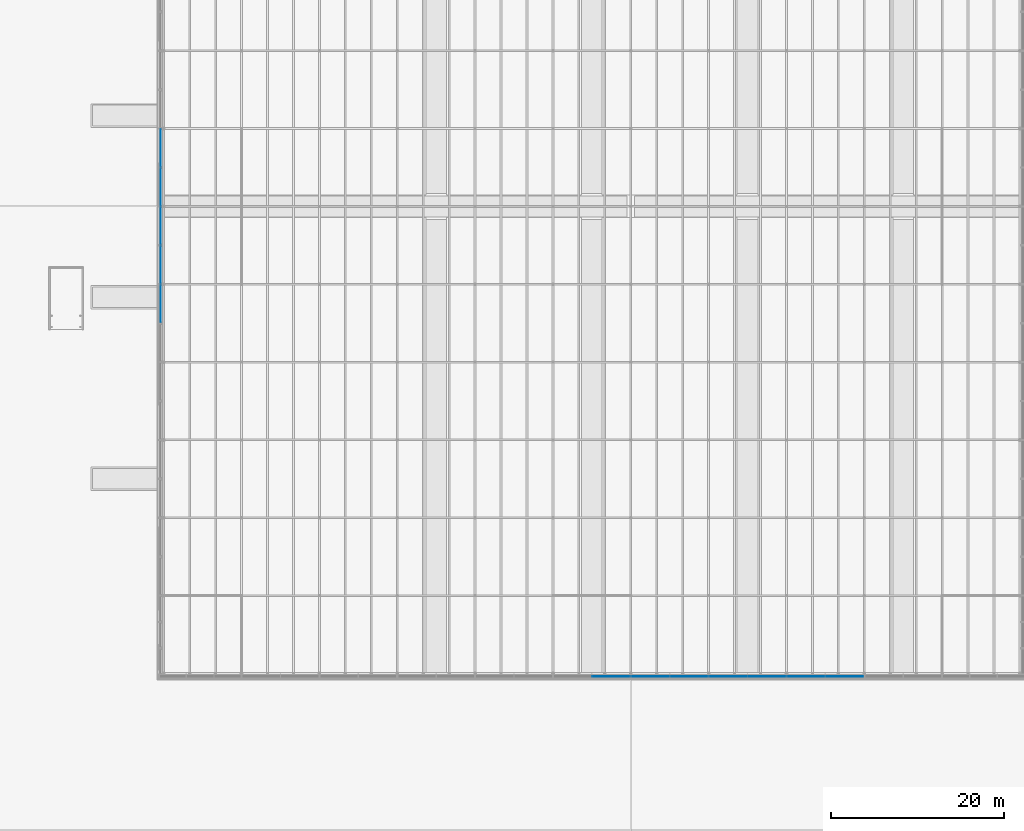
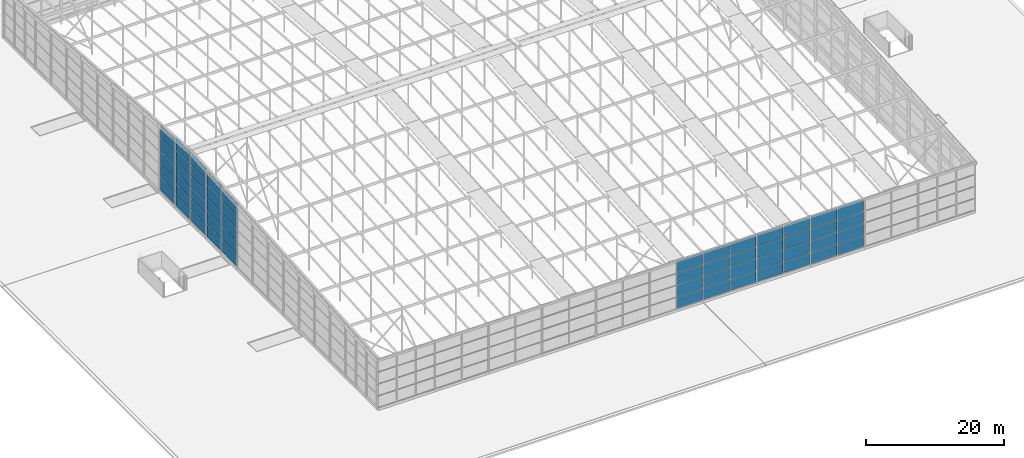
# One storey, part 51 of 84: 55 plates, 9 elements without a shape of their own.
"""IFC4 building model written with IfcOpenShell, lengths in metres."""

from ifc_helpers import new_model, si_unit, direction, frame, origin, origin_2d, place, context, subcontext, project, spatial, rectangle, extrude, material, layer, layer_set, type_object, element, aggregate, save


model = new_model("IFC4")

# Units and contexts
model_context = context("Model", 3, precision=1e-05, world=origin(), true_north=direction((0.0, 1.0)))
body_context = subcontext(model_context, "Body", "Model", "MODEL_VIEW")
ifc_project = project(units=[si_unit("LENGTHUNIT", "METRE"), si_unit("AREAUNIT", "SQUARE_METRE"), si_unit("VOLUMEUNIT", "CUBIC_METRE"), si_unit("PLANEANGLEUNIT", "RADIAN"), si_unit("MASSUNIT", "GRAM", prefix="KILO")], contexts=[model_context])

# Site, building, storey
site_placement = place(None, origin())
site = spatial("IfcSite", under=ifc_project, at=site_placement, CompositionType="ELEMENT")
building_placement = place(site_placement, origin())
building = spatial("IfcBuilding", under=site, at=building_placement, Name="Silverbay Arena", CompositionType="ELEMENT")
storey_placement = place(building_placement, frame((0.0, 0.0, 47.10009765625)))
storey = spatial("IfcBuildingStorey", under=building, at=storey_placement, Name="ROOF", CompositionType="ELEMENT", Elevation=47.10009765625)

# Curtain wall, plates
ifc_material_1 = material(Name="Aluminium framed glazing", Category="aluminium")
curtain_wall_type_1 = type_object("IfcCurtainWallType", Name="Curtain wall crown 9000 x 8425", PredefinedType="NOTDEFINED", material=ifc_material_1)
curtain_wall_1_placement = place(storey_placement, origin())
curtain_wall_1 = element("IfcCurtainWall", 1, at=curtain_wall_1_placement, inside=storey, type_object=curtain_wall_type_1, Name="ROOF CROWN CURTAIN WALL south bay 06", PredefinedType="NOTDEFINED")
ifc_material_2 = material(Name="Laminated glass", Category="glass")
ifc_layer = layer(ifc_material_2, 0.031982421875)
ifc_layer_set = layer_set([ifc_layer], Name="Laminated glass")
plate_type = type_object("IfcPlateType", Name="Glass panel 32", PredefinedType="CURTAIN_PANEL", material=ifc_layer_set)
placement = place(building_placement, frame((0.0, 0.0, 33.5)))
plate_1_placement = place(placement, frame((132.72509765625, 26.64990234375, 14.110107421875), z_axis=(0.0, 0.0, 1.0), x_axis=(1.0, 0.0, 0.0)))
plate_1 = element("IfcPlate", 2, at=plate_1_placement, type_object=plate_type, Name="CW62 panel 2.1", PredefinedType="CURTAIN_PANEL", context=body_context, shape_type="SweptSolid", body=[
    extrude(rectangle(XDim=4.35009765625, YDim=0.031982421875, at=origin_2d()), origin(), (0.0, 0.0, 1.0), 2.01611328125),
])
plate_2_placement = place(placement, frame((132.72509765625, 26.64990234375, 16.18603515625), z_axis=(0.0, 0.0, 1.0), x_axis=(1.0, 0.0, 0.0)))
plate_2 = element("IfcPlate", 3, at=plate_2_placement, type_object=plate_type, Name="CW62 panel 2.2", PredefinedType="CURTAIN_PANEL", context=body_context, shape_type="SweptSolid", body=[
    extrude(rectangle(XDim=4.35009765625, YDim=0.031982421875, at=origin_2d()), origin(), (0.0, 0.0, 1.0), 2.046142578125),
])
plate_3_placement = place(placement, frame((132.72509765625, 26.64990234375, 18.29248046875), z_axis=(0.0, 0.0, 1.0), x_axis=(1.0, 0.0, 0.0)))
plate_3 = element("IfcPlate", 4, at=plate_3_placement, type_object=plate_type, Name="CW62 panel 2.3", PredefinedType="CURTAIN_PANEL", context=body_context, shape_type="SweptSolid", body=[
    extrude(rectangle(XDim=4.35009765625, YDim=0.031982421875, at=origin_2d()), origin(), (0.0, 0.0, 1.0), 2.046142578125),
])
plate_4_placement = place(placement, frame((132.72509765625, 26.64990234375, 20.398681640625), z_axis=(0.0, 0.0, 1.0), x_axis=(1.0, 0.0, 0.0)))
plate_4 = element("IfcPlate", 5, at=plate_4_placement, type_object=plate_type, Name="CW62 panel 2.4", PredefinedType="CURTAIN_PANEL", context=body_context, shape_type="SweptSolid", body=[
    extrude(rectangle(XDim=4.35009765625, YDim=0.031982421875, at=origin_2d()), origin(), (0.0, 0.0, 1.0), 2.01611328125),
])
aggregate(curtain_wall_1, [plate_1, plate_2, plate_3, plate_4])

curtain_wall_2_placement = place(storey_placement, origin())
curtain_wall_2 = element("IfcCurtainWall", 6, at=curtain_wall_2_placement, inside=storey, type_object=curtain_wall_type_1, Name="ROOF CROWN CURTAIN WALL south bay 07", PredefinedType="NOTDEFINED")
plate_5_placement = place(placement, frame((137.27490234375, 26.64990234375, 14.110107421875), z_axis=(0.0, 0.0, 1.0), x_axis=(1.0, 0.0, 0.0)))
plate_5 = element("IfcPlate", 7, at=plate_5_placement, type_object=plate_type, Name="CW62 panel 1.1", PredefinedType="CURTAIN_PANEL", context=body_context, shape_type="SweptSolid", body=[
    extrude(rectangle(XDim=4.35009765625, YDim=0.031982421875, at=origin_2d()), origin(), (0.0, 0.0, 1.0), 2.01611328125),
])
plate_6_placement = place(placement, frame((137.27490234375, 26.64990234375, 16.18603515625), z_axis=(0.0, 0.0, 1.0), x_axis=(1.0, 0.0, 0.0)))
plate_6 = element("IfcPlate", 8, at=plate_6_placement, type_object=plate_type, Name="CW62 panel 1.2", PredefinedType="CURTAIN_PANEL", context=body_context, shape_type="SweptSolid", body=[
    extrude(rectangle(XDim=4.35009765625, YDim=0.031982421875, at=origin_2d()), origin(), (0.0, 0.0, 1.0), 2.046142578125),
])
plate_7_placement = place(placement, frame((137.27490234375, 26.64990234375, 18.29248046875), z_axis=(0.0, 0.0, 1.0), x_axis=(1.0, 0.0, 0.0)))
plate_7 = element("IfcPlate", 9, at=plate_7_placement, type_object=plate_type, Name="CW62 panel 1.3", PredefinedType="CURTAIN_PANEL", context=body_context, shape_type="SweptSolid", body=[
    extrude(rectangle(XDim=4.35009765625, YDim=0.031982421875, at=origin_2d()), origin(), (0.0, 0.0, 1.0), 2.046142578125),
])
plate_8_placement = place(placement, frame((137.27490234375, 26.64990234375, 20.398681640625), z_axis=(0.0, 0.0, 1.0), x_axis=(1.0, 0.0, 0.0)))
plate_8 = element("IfcPlate", 10, at=plate_8_placement, type_object=plate_type, Name="CW62 panel 1.4", PredefinedType="CURTAIN_PANEL", context=body_context, shape_type="SweptSolid", body=[
    extrude(rectangle(XDim=4.35009765625, YDim=0.031982421875, at=origin_2d()), origin(), (0.0, 0.0, 1.0), 2.01611328125),
])
plate_9_placement = place(placement, frame((141.72509765625, 26.64990234375, 14.110107421875), z_axis=(0.0, 0.0, 1.0), x_axis=(1.0, 0.0, 0.0)))
plate_9 = element("IfcPlate", 11, at=plate_9_placement, type_object=plate_type, Name="CW62 panel 2.1", PredefinedType="CURTAIN_PANEL", context=body_context, shape_type="SweptSolid", body=[
    extrude(rectangle(XDim=4.35009765625, YDim=0.031982421875, at=origin_2d()), origin(), (0.0, 0.0, 1.0), 2.01611328125),
])
plate_10_placement = place(placement, frame((141.72509765625, 26.64990234375, 16.18603515625), z_axis=(0.0, 0.0, 1.0), x_axis=(1.0, 0.0, 0.0)))
plate_10 = element("IfcPlate", 12, at=plate_10_placement, type_object=plate_type, Name="CW62 panel 2.2", PredefinedType="CURTAIN_PANEL", context=body_context, shape_type="SweptSolid", body=[
    extrude(rectangle(XDim=4.35009765625, YDim=0.031982421875, at=origin_2d()), origin(), (0.0, 0.0, 1.0), 2.046142578125),
])
plate_11_placement = place(placement, frame((141.72509765625, 26.64990234375, 18.29248046875), z_axis=(0.0, 0.0, 1.0), x_axis=(1.0, 0.0, 0.0)))
plate_11 = element("IfcPlate", 13, at=plate_11_placement, type_object=plate_type, Name="CW62 panel 2.3", PredefinedType="CURTAIN_PANEL", context=body_context, shape_type="SweptSolid", body=[
    extrude(rectangle(XDim=4.35009765625, YDim=0.031982421875, at=origin_2d()), origin(), (0.0, 0.0, 1.0), 2.046142578125),
])
plate_12_placement = place(placement, frame((141.72509765625, 26.64990234375, 20.398681640625), z_axis=(0.0, 0.0, 1.0), x_axis=(1.0, 0.0, 0.0)))
plate_12 = element("IfcPlate", 14, at=plate_12_placement, type_object=plate_type, Name="CW62 panel 2.4", PredefinedType="CURTAIN_PANEL", context=body_context, shape_type="SweptSolid", body=[
    extrude(rectangle(XDim=4.35009765625, YDim=0.031982421875, at=origin_2d()), origin(), (0.0, 0.0, 1.0), 2.01611328125),
])
aggregate(curtain_wall_2, [plate_5, plate_6, plate_7, plate_8, plate_9, plate_10, plate_11, plate_12])

curtain_wall_3_placement = place(storey_placement, origin())
curtain_wall_3 = element("IfcCurtainWall", 15, at=curtain_wall_3_placement, inside=storey, type_object=curtain_wall_type_1, Name="ROOF CROWN CURTAIN WALL south bay 08", PredefinedType="NOTDEFINED")
plate_13_placement = place(placement, frame((146.27490234375, 26.64990234375, 14.110107421875), z_axis=(0.0, 0.0, 1.0), x_axis=(1.0, 0.0, 0.0)))
plate_13 = element("IfcPlate", 16, at=plate_13_placement, type_object=plate_type, Name="CW62 panel 1.1", PredefinedType="CURTAIN_PANEL", context=body_context, shape_type="SweptSolid", body=[
    extrude(rectangle(XDim=4.35009765625, YDim=0.031982421875, at=origin_2d()), origin(), (0.0, 0.0, 1.0), 2.01611328125),
])
plate_14_placement = place(placement, frame((146.27490234375, 26.64990234375, 16.18603515625), z_axis=(0.0, 0.0, 1.0), x_axis=(1.0, 0.0, 0.0)))
plate_14 = element("IfcPlate", 17, at=plate_14_placement, type_object=plate_type, Name="CW62 panel 1.2", PredefinedType="CURTAIN_PANEL", context=body_context, shape_type="SweptSolid", body=[
    extrude(rectangle(XDim=4.35009765625, YDim=0.031982421875, at=origin_2d()), origin(), (0.0, 0.0, 1.0), 2.046142578125),
])
plate_15_placement = place(placement, frame((146.27490234375, 26.64990234375, 18.29248046875), z_axis=(0.0, 0.0, 1.0), x_axis=(1.0, 0.0, 0.0)))
plate_15 = element("IfcPlate", 18, at=plate_15_placement, type_object=plate_type, Name="CW62 panel 1.3", PredefinedType="CURTAIN_PANEL", context=body_context, shape_type="SweptSolid", body=[
    extrude(rectangle(XDim=4.35009765625, YDim=0.031982421875, at=origin_2d()), origin(), (0.0, 0.0, 1.0), 2.046142578125),
])
plate_16_placement = place(placement, frame((146.27490234375, 26.64990234375, 20.398681640625), z_axis=(0.0, 0.0, 1.0), x_axis=(1.0, 0.0, 0.0)))
plate_16 = element("IfcPlate", 19, at=plate_16_placement, type_object=plate_type, Name="CW62 panel 1.4", PredefinedType="CURTAIN_PANEL", context=body_context, shape_type="SweptSolid", body=[
    extrude(rectangle(XDim=4.35009765625, YDim=0.031982421875, at=origin_2d()), origin(), (0.0, 0.0, 1.0), 2.01611328125),
])
plate_17_placement = place(placement, frame((150.72509765625, 26.64990234375, 14.110107421875), z_axis=(0.0, 0.0, 1.0), x_axis=(1.0, 0.0, 0.0)))
plate_17 = element("IfcPlate", 20, at=plate_17_placement, type_object=plate_type, Name="CW62 panel 2.1", PredefinedType="CURTAIN_PANEL", context=body_context, shape_type="SweptSolid", body=[
    extrude(rectangle(XDim=4.35009765625, YDim=0.031982421875, at=origin_2d()), origin(), (0.0, 0.0, 1.0), 2.01611328125),
])
plate_18_placement = place(placement, frame((150.72509765625, 26.64990234375, 16.18603515625), z_axis=(0.0, 0.0, 1.0), x_axis=(1.0, 0.0, 0.0)))
plate_18 = element("IfcPlate", 21, at=plate_18_placement, type_object=plate_type, Name="CW62 panel 2.2", PredefinedType="CURTAIN_PANEL", context=body_context, shape_type="SweptSolid", body=[
    extrude(rectangle(XDim=4.35009765625, YDim=0.031982421875, at=origin_2d()), origin(), (0.0, 0.0, 1.0), 2.046142578125),
])
plate_19_placement = place(placement, frame((150.72509765625, 26.64990234375, 18.29248046875), z_axis=(0.0, 0.0, 1.0), x_axis=(1.0, 0.0, 0.0)))
plate_19 = element("IfcPlate", 22, at=plate_19_placement, type_object=plate_type, Name="CW62 panel 2.3", PredefinedType="CURTAIN_PANEL", context=body_context, shape_type="SweptSolid", body=[
    extrude(rectangle(XDim=4.35009765625, YDim=0.031982421875, at=origin_2d()), origin(), (0.0, 0.0, 1.0), 2.046142578125),
])
plate_20_placement = place(placement, frame((150.72509765625, 26.64990234375, 20.398681640625), z_axis=(0.0, 0.0, 1.0), x_axis=(1.0, 0.0, 0.0)))
plate_20 = element("IfcPlate", 23, at=plate_20_placement, type_object=plate_type, Name="CW62 panel 2.4", PredefinedType="CURTAIN_PANEL", context=body_context, shape_type="SweptSolid", body=[
    extrude(rectangle(XDim=4.35009765625, YDim=0.031982421875, at=origin_2d()), origin(), (0.0, 0.0, 1.0), 2.01611328125),
])
aggregate(curtain_wall_3, [plate_13, plate_14, plate_15, plate_16, plate_17, plate_18, plate_19, plate_20])

curtain_wall_4_placement = place(storey_placement, origin())
curtain_wall_4 = element("IfcCurtainWall", 24, at=curtain_wall_4_placement, inside=storey, type_object=curtain_wall_type_1, Name="ROOF CROWN CURTAIN WALL south bay 09", PredefinedType="NOTDEFINED")
plate_21_placement = place(placement, frame((155.27490234375, 26.64990234375, 14.110107421875), z_axis=(0.0, 0.0, 1.0), x_axis=(1.0, 0.0, 0.0)))
plate_21 = element("IfcPlate", 25, at=plate_21_placement, type_object=plate_type, Name="CW62 panel 1.1", PredefinedType="CURTAIN_PANEL", context=body_context, shape_type="SweptSolid", body=[
    extrude(rectangle(XDim=4.35009765625, YDim=0.031982421875, at=origin_2d()), origin(), (0.0, 0.0, 1.0), 2.01611328125),
])
plate_22_placement = place(placement, frame((155.27490234375, 26.64990234375, 16.18603515625), z_axis=(0.0, 0.0, 1.0), x_axis=(1.0, 0.0, 0.0)))
plate_22 = element("IfcPlate", 26, at=plate_22_placement, type_object=plate_type, Name="CW62 panel 1.2", PredefinedType="CURTAIN_PANEL", context=body_context, shape_type="SweptSolid", body=[
    extrude(rectangle(XDim=4.35009765625, YDim=0.031982421875, at=origin_2d()), origin(), (0.0, 0.0, 1.0), 2.046142578125),
])
plate_23_placement = place(placement, frame((155.27490234375, 26.64990234375, 18.29248046875), z_axis=(0.0, 0.0, 1.0), x_axis=(1.0, 0.0, 0.0)))
plate_23 = element("IfcPlate", 27, at=plate_23_placement, type_object=plate_type, Name="CW62 panel 1.3", PredefinedType="CURTAIN_PANEL", context=body_context, shape_type="SweptSolid", body=[
    extrude(rectangle(XDim=4.35009765625, YDim=0.031982421875, at=origin_2d()), origin(), (0.0, 0.0, 1.0), 2.046142578125),
])
plate_24_placement = place(placement, frame((155.27490234375, 26.64990234375, 20.398681640625), z_axis=(0.0, 0.0, 1.0), x_axis=(1.0, 0.0, 0.0)))
plate_24 = element("IfcPlate", 28, at=plate_24_placement, type_object=plate_type, Name="CW62 panel 1.4", PredefinedType="CURTAIN_PANEL", context=body_context, shape_type="SweptSolid", body=[
    extrude(rectangle(XDim=4.35009765625, YDim=0.031982421875, at=origin_2d()), origin(), (0.0, 0.0, 1.0), 2.01611328125),
])
plate_25_placement = place(placement, frame((159.72509765625, 26.64990234375, 14.110107421875), z_axis=(0.0, 0.0, 1.0), x_axis=(1.0, 0.0, 0.0)))
plate_25 = element("IfcPlate", 29, at=plate_25_placement, type_object=plate_type, Name="CW62 panel 2.1", PredefinedType="CURTAIN_PANEL", context=body_context, shape_type="SweptSolid", body=[
    extrude(rectangle(XDim=4.35009765625, YDim=0.031982421875, at=origin_2d()), origin(), (0.0, 0.0, 1.0), 2.01611328125),
])
plate_26_placement = place(placement, frame((159.72509765625, 26.64990234375, 16.18603515625), z_axis=(0.0, 0.0, 1.0), x_axis=(1.0, 0.0, 0.0)))
plate_26 = element("IfcPlate", 30, at=plate_26_placement, type_object=plate_type, Name="CW62 panel 2.2", PredefinedType="CURTAIN_PANEL", context=body_context, shape_type="SweptSolid", body=[
    extrude(rectangle(XDim=4.35009765625, YDim=0.031982421875, at=origin_2d()), origin(), (0.0, 0.0, 1.0), 2.046142578125),
])
plate_27_placement = place(placement, frame((159.72509765625, 26.64990234375, 18.29248046875), z_axis=(0.0, 0.0, 1.0), x_axis=(1.0, 0.0, 0.0)))
plate_27 = element("IfcPlate", 31, at=plate_27_placement, type_object=plate_type, Name="CW62 panel 2.3", PredefinedType="CURTAIN_PANEL", context=body_context, shape_type="SweptSolid", body=[
    extrude(rectangle(XDim=4.35009765625, YDim=0.031982421875, at=origin_2d()), origin(), (0.0, 0.0, 1.0), 2.046142578125),
])
plate_28_placement = place(placement, frame((159.72509765625, 26.64990234375, 20.398681640625), z_axis=(0.0, 0.0, 1.0), x_axis=(1.0, 0.0, 0.0)))
plate_28 = element("IfcPlate", 32, at=plate_28_placement, type_object=plate_type, Name="CW62 panel 2.4", PredefinedType="CURTAIN_PANEL", context=body_context, shape_type="SweptSolid", body=[
    extrude(rectangle(XDim=4.35009765625, YDim=0.031982421875, at=origin_2d()), origin(), (0.0, 0.0, 1.0), 2.01611328125),
])
aggregate(curtain_wall_4, [plate_21, plate_22, plate_23, plate_24, plate_25, plate_26, plate_27, plate_28])

ifc_material_3 = material(Name="Aluminium framed glazing", Category="aluminium")
curtain_wall_type_2 = type_object("IfcCurtainWallType", Name="Curtain wall crown 4500 x 11375", PredefinedType="NOTDEFINED", material=ifc_material_3)
curtain_wall_5_placement = place(storey_placement, origin())
curtain_wall_5 = element("IfcCurtainWall", 33, at=curtain_wall_5_placement, inside=storey, type_object=curtain_wall_type_2, Name="ROOF CROWN CURTAIN WALL west bay 11", PredefinedType="NOTDEFINED")
plate_29_placement = place(placement, frame((80.64990234375, 69.75, 14.10986328125), z_axis=(0.0, 0.0, 1.0), x_axis=(0.0, 1.0, 0.0)))
plate_29 = element("IfcPlate", 34, at=plate_29_placement, type_object=plate_type, Name="CW73 panel 1.1", PredefinedType="CURTAIN_PANEL", context=body_context, shape_type="SweptSolid", body=[
    extrude(rectangle(XDim=4.300048828125, YDim=0.031982421875, at=origin_2d()), origin(), (0.0, 0.0, 1.0), 2.18505859375),
])
plate_30_placement = place(placement, frame((80.64990234375, 69.75, 16.35498046875), z_axis=(0.0, 0.0, 1.0), x_axis=(0.0, 1.0, 0.0)))
plate_30 = element("IfcPlate", 35, at=plate_30_placement, type_object=plate_type, Name="CW73 panel 1.2", PredefinedType="CURTAIN_PANEL", context=body_context, shape_type="SweptSolid", body=[
    extrude(rectangle(XDim=4.300048828125, YDim=0.031982421875, at=origin_2d()), origin(), (0.0, 0.0, 1.0), 2.215087890625),
])
plate_31_placement = place(placement, frame((80.64990234375, 69.75, 18.6298828125), z_axis=(0.0, 0.0, 1.0), x_axis=(0.0, 1.0, 0.0)))
plate_31 = element("IfcPlate", 36, at=plate_31_placement, type_object=plate_type, Name="CW73 panel 1.3", PredefinedType="CURTAIN_PANEL", context=body_context, shape_type="SweptSolid", body=[
    extrude(rectangle(XDim=4.300048828125, YDim=0.031982421875, at=origin_2d()), origin(), (0.0, 0.0, 1.0), 2.215087890625),
])
plate_32_placement = place(placement, frame((80.64990234375, 69.75, 20.90478515625), z_axis=(0.0, 0.0, 1.0), x_axis=(0.0, 1.0, 0.0)))
plate_32 = element("IfcPlate", 37, at=plate_32_placement, type_object=plate_type, Name="CW73 panel 1.4", PredefinedType="CURTAIN_PANEL", context=body_context, shape_type="SweptSolid", body=[
    extrude(rectangle(XDim=4.300048828125, YDim=0.031982421875, at=origin_2d()), origin(), (0.0, 0.0, 1.0), 2.215087890625),
])
plate_33_placement = place(placement, frame((80.64990234375, 69.75, 23.179931640625), z_axis=(0.0, 0.0, 1.0), x_axis=(0.0, 1.0, 0.0)))
plate_33 = element("IfcPlate", 38, at=plate_33_placement, type_object=plate_type, Name="CW73 panel 1.5", PredefinedType="CURTAIN_PANEL", context=body_context, shape_type="SweptSolid", body=[
    extrude(rectangle(XDim=4.300048828125, YDim=0.031982421875, at=origin_2d()), origin(), (0.0, 0.0, 1.0), 2.18505859375),
])
aggregate(curtain_wall_5, [plate_29, plate_30, plate_31, plate_32, plate_33])

ifc_material_4 = material(Name="Aluminium framed glazing", Category="aluminium")
curtain_wall_type_3 = type_object("IfcCurtainWallType", Name="Curtain wall crown 4500 x 11700", PredefinedType="NOTDEFINED", material=ifc_material_4)
curtain_wall_6_placement = place(storey_placement, origin())
curtain_wall_6 = element("IfcCurtainWall", 39, at=curtain_wall_6_placement, inside=storey, type_object=curtain_wall_type_3, Name="ROOF CROWN CURTAIN WALL west bay 12", PredefinedType="NOTDEFINED")
plate_34_placement = place(placement, frame((80.64990234375, 74.25, 14.110107421875), z_axis=(0.0, 0.0, 1.0), x_axis=(0.0, 1.0, 0.0)))
plate_34 = element("IfcPlate", 40, at=plate_34_placement, type_object=plate_type, Name="CW74 panel 1.1", PredefinedType="CURTAIN_PANEL", context=body_context, shape_type="SweptSolid", body=[
    extrude(rectangle(XDim=4.300048828125, YDim=0.031982421875, at=origin_2d()), origin(), (0.0, 0.0, 1.0), 2.25),
])
plate_35_placement = place(placement, frame((80.64990234375, 74.25, 16.419921875), z_axis=(0.0, 0.0, 1.0), x_axis=(0.0, 1.0, 0.0)))
plate_35 = element("IfcPlate", 41, at=plate_35_placement, type_object=plate_type, Name="CW74 panel 1.2", PredefinedType="CURTAIN_PANEL", context=body_context, shape_type="SweptSolid", body=[
    extrude(rectangle(XDim=4.300048828125, YDim=0.031982421875, at=origin_2d()), origin(), (0.0, 0.0, 1.0), 2.280029296875),
])
plate_36_placement = place(placement, frame((80.64990234375, 74.25, 18.759765625), z_axis=(0.0, 0.0, 1.0), x_axis=(0.0, 1.0, 0.0)))
plate_36 = element("IfcPlate", 42, at=plate_36_placement, type_object=plate_type, Name="CW74 panel 1.3", PredefinedType="CURTAIN_PANEL", context=body_context, shape_type="SweptSolid", body=[
    extrude(rectangle(XDim=4.300048828125, YDim=0.031982421875, at=origin_2d()), origin(), (0.0, 0.0, 1.0), 2.280029296875),
])
plate_37_placement = place(placement, frame((80.64990234375, 74.25, 21.10009765625), z_axis=(0.0, 0.0, 1.0), x_axis=(0.0, 1.0, 0.0)))
plate_37 = element("IfcPlate", 43, at=plate_37_placement, type_object=plate_type, Name="CW74 panel 1.4", PredefinedType="CURTAIN_PANEL", context=body_context, shape_type="SweptSolid", body=[
    extrude(rectangle(XDim=4.300048828125, YDim=0.031982421875, at=origin_2d()), origin(), (0.0, 0.0, 1.0), 2.280029296875),
])
plate_38_placement = place(placement, frame((80.64990234375, 74.25, 23.43994140625), z_axis=(0.0, 0.0, 1.0), x_axis=(0.0, 1.0, 0.0)))
plate_38 = element("IfcPlate", 44, at=plate_38_placement, type_object=plate_type, Name="CW74 panel 1.5", PredefinedType="CURTAIN_PANEL", context=body_context, shape_type="SweptSolid", body=[
    extrude(rectangle(XDim=4.300048828125, YDim=0.031982421875, at=origin_2d()), origin(), (0.0, 0.0, 1.0), 2.25),
])
aggregate(curtain_wall_6, [plate_34, plate_35, plate_36, plate_37, plate_38])

ifc_material_5 = material(Name="Aluminium framed glazing", Category="aluminium")
curtain_wall_type_4 = type_object("IfcCurtainWallType", Name="Curtain wall crown 4500 x 12025", PredefinedType="NOTDEFINED", material=ifc_material_5)
curtain_wall_7_placement = place(storey_placement, origin())
curtain_wall_7 = element("IfcCurtainWall", 45, at=curtain_wall_7_placement, inside=storey, type_object=curtain_wall_type_4, Name="ROOF CROWN CURTAIN WALL west bay 13", PredefinedType="NOTDEFINED")
plate_39_placement = place(placement, frame((80.64990234375, 78.75, 14.110107421875), z_axis=(0.0, 0.0, 1.0), x_axis=(0.0, 1.0, 0.0)))
plate_39 = element("IfcPlate", 46, at=plate_39_placement, type_object=plate_type, Name="CW75 panel 1.1", PredefinedType="CURTAIN_PANEL", context=body_context, shape_type="SweptSolid", body=[
    extrude(rectangle(XDim=4.300048828125, YDim=0.031982421875, at=origin_2d()), origin(), (0.0, 0.0, 1.0), 1.9140625),
])
plate_40_placement = place(placement, frame((80.64990234375, 78.75, 16.083984375), z_axis=(0.0, 0.0, 1.0), x_axis=(0.0, 1.0, 0.0)))
plate_40 = element("IfcPlate", 47, at=plate_40_placement, type_object=plate_type, Name="CW75 panel 1.2", PredefinedType="CURTAIN_PANEL", context=body_context, shape_type="SweptSolid", body=[
    extrude(rectangle(XDim=4.300048828125, YDim=0.031982421875, at=origin_2d()), origin(), (0.0, 0.0, 1.0), 1.944091796875),
])
plate_41_placement = place(placement, frame((80.64990234375, 78.75, 18.08837890625), z_axis=(0.0, 0.0, 1.0), x_axis=(0.0, 1.0, 0.0)))
plate_41 = element("IfcPlate", 48, at=plate_41_placement, type_object=plate_type, Name="CW75 panel 1.3", PredefinedType="CURTAIN_PANEL", context=body_context, shape_type="SweptSolid", body=[
    extrude(rectangle(XDim=4.300048828125, YDim=0.031982421875, at=origin_2d()), origin(), (0.0, 0.0, 1.0), 1.944091796875),
])
plate_42_placement = place(placement, frame((80.64990234375, 78.75, 20.0927734375), z_axis=(0.0, 0.0, 1.0), x_axis=(0.0, 1.0, 0.0)))
plate_42 = element("IfcPlate", 49, at=plate_42_placement, type_object=plate_type, Name="CW75 panel 1.4", PredefinedType="CURTAIN_PANEL", context=body_context, shape_type="SweptSolid", body=[
    extrude(rectangle(XDim=4.300048828125, YDim=0.031982421875, at=origin_2d()), origin(), (0.0, 0.0, 1.0), 1.944091796875),
])
plate_43_placement = place(placement, frame((80.64990234375, 78.75, 22.0966796875), z_axis=(0.0, 0.0, 1.0), x_axis=(0.0, 1.0, 0.0)))
plate_43 = element("IfcPlate", 50, at=plate_43_placement, type_object=plate_type, Name="CW75 panel 1.5", PredefinedType="CURTAIN_PANEL", context=body_context, shape_type="SweptSolid", body=[
    extrude(rectangle(XDim=4.300048828125, YDim=0.031982421875, at=origin_2d()), origin(), (0.0, 0.0, 1.0), 1.944091796875),
])
plate_44_placement = place(placement, frame((80.64990234375, 78.75, 24.100830078125), z_axis=(0.0, 0.0, 1.0), x_axis=(0.0, 1.0, 0.0)))
plate_44 = element("IfcPlate", 51, at=plate_44_placement, type_object=plate_type, Name="CW75 panel 1.6", PredefinedType="CURTAIN_PANEL", context=body_context, shape_type="SweptSolid", body=[
    extrude(rectangle(XDim=4.300048828125, YDim=0.031982421875, at=origin_2d()), origin(), (0.0, 0.0, 1.0), 1.9140625),
])
aggregate(curtain_wall_7, [plate_39, plate_40, plate_41, plate_42, plate_43, plate_44])

curtain_wall_8_placement = place(storey_placement, origin())
curtain_wall_8 = element("IfcCurtainWall", 52, at=curtain_wall_8_placement, inside=storey, type_object=curtain_wall_type_4, Name="ROOF CROWN CURTAIN WALL west bay 14", PredefinedType="NOTDEFINED")
plate_45_placement = place(placement, frame((80.64990234375, 83.25, 14.110107421875), z_axis=(0.0, 0.0, 1.0), x_axis=(0.0, 1.0, 0.0)))
plate_45 = element("IfcPlate", 53, at=plate_45_placement, type_object=plate_type, Name="CW75 panel 1.1", PredefinedType="CURTAIN_PANEL", context=body_context, shape_type="SweptSolid", body=[
    extrude(rectangle(XDim=4.300048828125, YDim=0.031982421875, at=origin_2d()), origin(), (0.0, 0.0, 1.0), 1.9140625),
])
plate_46_placement = place(placement, frame((80.64990234375, 83.25, 16.083984375), z_axis=(0.0, 0.0, 1.0), x_axis=(0.0, 1.0, 0.0)))
plate_46 = element("IfcPlate", 54, at=plate_46_placement, type_object=plate_type, Name="CW75 panel 1.2", PredefinedType="CURTAIN_PANEL", context=body_context, shape_type="SweptSolid", body=[
    extrude(rectangle(XDim=4.300048828125, YDim=0.031982421875, at=origin_2d()), origin(), (0.0, 0.0, 1.0), 1.944091796875),
])
plate_47_placement = place(placement, frame((80.64990234375, 83.25, 18.08837890625), z_axis=(0.0, 0.0, 1.0), x_axis=(0.0, 1.0, 0.0)))
plate_47 = element("IfcPlate", 55, at=plate_47_placement, type_object=plate_type, Name="CW75 panel 1.3", PredefinedType="CURTAIN_PANEL", context=body_context, shape_type="SweptSolid", body=[
    extrude(rectangle(XDim=4.300048828125, YDim=0.031982421875, at=origin_2d()), origin(), (0.0, 0.0, 1.0), 1.944091796875),
])
plate_48_placement = place(placement, frame((80.64990234375, 83.25, 20.0927734375), z_axis=(0.0, 0.0, 1.0), x_axis=(0.0, 1.0, 0.0)))
plate_48 = element("IfcPlate", 56, at=plate_48_placement, type_object=plate_type, Name="CW75 panel 1.4", PredefinedType="CURTAIN_PANEL", context=body_context, shape_type="SweptSolid", body=[
    extrude(rectangle(XDim=4.300048828125, YDim=0.031982421875, at=origin_2d()), origin(), (0.0, 0.0, 1.0), 1.944091796875),
])
plate_49_placement = place(placement, frame((80.64990234375, 83.25, 22.0966796875), z_axis=(0.0, 0.0, 1.0), x_axis=(0.0, 1.0, 0.0)))
plate_49 = element("IfcPlate", 57, at=plate_49_placement, type_object=plate_type, Name="CW75 panel 1.5", PredefinedType="CURTAIN_PANEL", context=body_context, shape_type="SweptSolid", body=[
    extrude(rectangle(XDim=4.300048828125, YDim=0.031982421875, at=origin_2d()), origin(), (0.0, 0.0, 1.0), 1.944091796875),
])
plate_50_placement = place(placement, frame((80.64990234375, 83.25, 24.100830078125), z_axis=(0.0, 0.0, 1.0), x_axis=(0.0, 1.0, 0.0)))
plate_50 = element("IfcPlate", 58, at=plate_50_placement, type_object=plate_type, Name="CW75 panel 1.6", PredefinedType="CURTAIN_PANEL", context=body_context, shape_type="SweptSolid", body=[
    extrude(rectangle(XDim=4.300048828125, YDim=0.031982421875, at=origin_2d()), origin(), (0.0, 0.0, 1.0), 1.9140625),
])
aggregate(curtain_wall_8, [plate_45, plate_46, plate_47, plate_48, plate_49, plate_50])

curtain_wall_9_placement = place(storey_placement, origin())
curtain_wall_9 = element("IfcCurtainWall", 59, at=curtain_wall_9_placement, inside=storey, type_object=curtain_wall_type_3, Name="ROOF CROWN CURTAIN WALL west bay 15", PredefinedType="NOTDEFINED")
plate_51_placement = place(placement, frame((80.64990234375, 87.75, 14.110107421875), z_axis=(0.0, 0.0, 1.0), x_axis=(0.0, 1.0, 0.0)))
plate_51 = element("IfcPlate", 60, at=plate_51_placement, type_object=plate_type, Name="CW74 panel 1.1", PredefinedType="CURTAIN_PANEL", context=body_context, shape_type="SweptSolid", body=[
    extrude(rectangle(XDim=4.300048828125, YDim=0.031982421875, at=origin_2d()), origin(), (0.0, 0.0, 1.0), 2.25),
])
plate_52_placement = place(placement, frame((80.64990234375, 87.75, 16.419921875), z_axis=(0.0, 0.0, 1.0), x_axis=(0.0, 1.0, 0.0)))
plate_52 = element("IfcPlate", 61, at=plate_52_placement, type_object=plate_type, Name="CW74 panel 1.2", PredefinedType="CURTAIN_PANEL", context=body_context, shape_type="SweptSolid", body=[
    extrude(rectangle(XDim=4.300048828125, YDim=0.031982421875, at=origin_2d()), origin(), (0.0, 0.0, 1.0), 2.280029296875),
])
plate_53_placement = place(placement, frame((80.64990234375, 87.75, 18.759765625), z_axis=(0.0, 0.0, 1.0), x_axis=(0.0, 1.0, 0.0)))
plate_53 = element("IfcPlate", 62, at=plate_53_placement, type_object=plate_type, Name="CW74 panel 1.3", PredefinedType="CURTAIN_PANEL", context=body_context, shape_type="SweptSolid", body=[
    extrude(rectangle(XDim=4.300048828125, YDim=0.031982421875, at=origin_2d()), origin(), (0.0, 0.0, 1.0), 2.280029296875),
])
plate_54_placement = place(placement, frame((80.64990234375, 87.75, 21.10009765625), z_axis=(0.0, 0.0, 1.0), x_axis=(0.0, 1.0, 0.0)))
plate_54 = element("IfcPlate", 63, at=plate_54_placement, type_object=plate_type, Name="CW74 panel 1.4", PredefinedType="CURTAIN_PANEL", context=body_context, shape_type="SweptSolid", body=[
    extrude(rectangle(XDim=4.300048828125, YDim=0.031982421875, at=origin_2d()), origin(), (0.0, 0.0, 1.0), 2.280029296875),
])
plate_55_placement = place(placement, frame((80.64990234375, 87.75, 23.43994140625), z_axis=(0.0, 0.0, 1.0), x_axis=(0.0, 1.0, 0.0)))
plate_55 = element("IfcPlate", 64, at=plate_55_placement, type_object=plate_type, Name="CW74 panel 1.5", PredefinedType="CURTAIN_PANEL", context=body_context, shape_type="SweptSolid", body=[
    extrude(rectangle(XDim=4.300048828125, YDim=0.031982421875, at=origin_2d()), origin(), (0.0, 0.0, 1.0), 2.25),
])
aggregate(curtain_wall_9, [plate_51, plate_52, plate_53, plate_54, plate_55])

save(model, "model.ifc")
